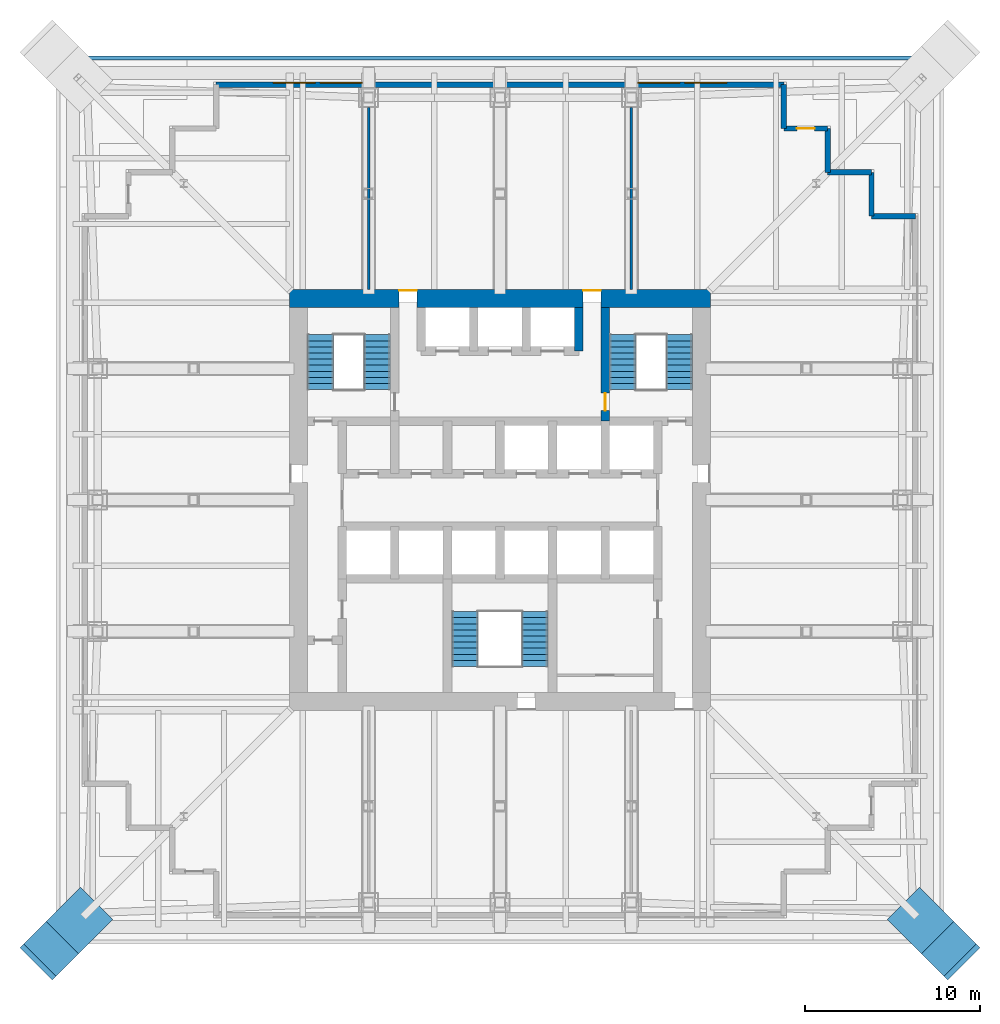
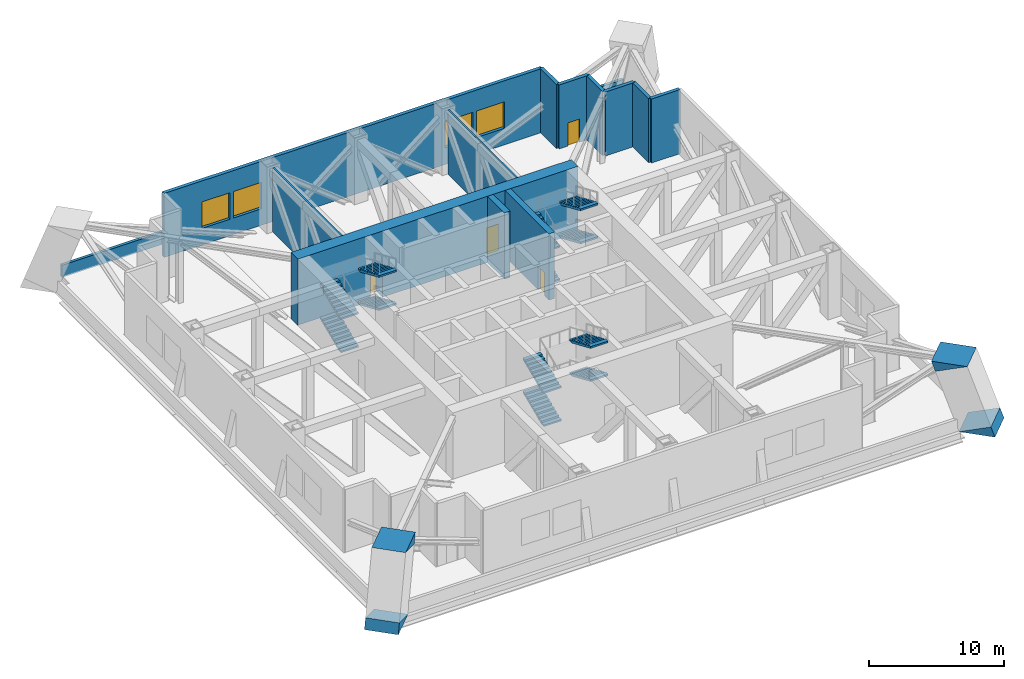
# One storey, part 7 of 10: 13 walls, 12 stair flights, 4 discrete accessories, 4 doors, 4 windows, 8 openings, 3 elements without a shape of their own.
"""IFC4 building model written with IfcOpenShell, lengths in metres."""

from ifc_helpers import new_model, si_unit, direction, frame, frame_2d, origin, place, context, subcontext, project, spatial, polyline, rectangle, outline, extrude, material, layer, layer_set, type_object, element, fill, aggregate, save


model = new_model("IFC4")

# Units and contexts
model_context = context("Model", 3, precision=1e-05, world=origin(), true_north=direction((0.0, 1.0)))
body_context = subcontext(model_context, "Body", "Model", "MODEL_VIEW")
ifc_project = project(units=[si_unit("LENGTHUNIT", "METRE"), si_unit("AREAUNIT", "SQUARE_METRE"), si_unit("VOLUMEUNIT", "CUBIC_METRE"), si_unit("PLANEANGLEUNIT", "RADIAN"), si_unit("MASSUNIT", "GRAM", prefix="KILO")], contexts=[model_context])

# Site, building, storey
site_placement = place(None, origin())
site = spatial("IfcSite", under=ifc_project, at=site_placement, CompositionType="ELEMENT")
building_placement = place(site_placement, origin())
building = spatial("IfcBuilding", under=site, at=building_placement, Name="Tarangal Relay Tower", CompositionType="ELEMENT")
storey_placement = place(building_placement, frame((0.0, 0.0, 98.39990234375)))
storey = spatial("IfcBuildingStorey", under=building, at=storey_placement, Name="L19", CompositionType="ELEMENT", Elevation=98.39990234375)

# Wall, opening, door
ifc_material_1 = material(Name="Concrete fc' 60 MPa", Category="concrete")
ifc_layer_1 = layer(ifc_material_1, 0.5)
ifc_layer_set_1 = layer_set([ifc_layer_1], Name="Core inner wall 500")
wall_type_1 = type_object("IfcWallType", Name="Core inner wall 500", PredefinedType="SHEAR", material=ifc_layer_set_1)
wall_1_placement = place(storey_placement, frame((6.0, 4.5, 0.0), z_axis=(0.0, 0.0, 1.0), x_axis=(0.0, 1.0, 0.0)))
wall_1 = element("IfcWall", 1, at=wall_1_placement, inside=storey, type_object=wall_type_1, Name="Core wall X6 L19", PredefinedType="SHEAR", context=body_context, shape_type="SweptSolid", body=[
    extrude(rectangle(XDim=6.5, YDim=0.5, at=frame_2d((3.25, 0.0))), origin(), (0.0, 0.0, 1.0), 6.0),
])
opening_1_placement = place(wall_1_placement, frame((0.60009765625, 0.0, 0.0)))
opening_1 = element("IfcOpeningElement", 2, at=opening_1_placement, cuts=wall_1, Name="Opening FD1", PredefinedType="OPENING", context=body_context, shape_type="SweptSolid", body=[
    extrude(rectangle(XDim=1.0, YDim=2.10009765625, at=frame_2d((0.5, 1.050048828125))), frame((0.0, 0.260009765625, 0.0), z_axis=(0.0, -1.0, 0.0), x_axis=(1.0, 0.0, 0.0)), (0.0, 0.0, 1.0), 0.52001953125),
])
ifc_material_2 = material(Name="Steel door with hardwood frame", Category="steel")
door_type_1 = type_object("IfcDoorType", Name="Fire door 1000 x 2100", OperationType="SINGLE_SWING_LEFT", PredefinedType="DOOR", material=ifc_material_2)
door_1_placement = place(opening_1_placement, origin())
door_1 = element("IfcDoor", 3, at=door_1_placement, inside=storey, type_object=door_type_1, Name="Stair ST-B door from fire-fighting lobby L19", OperationType="SINGLE_SWING_LEFT", OverallHeight=2.10009765625, OverallWidth=1.0, PredefinedType="DOOR", context=body_context, shape_type="SweptSolid", body=[
    extrude(rectangle(XDim=1.0, YDim=2.10009765625, at=frame_2d((0.5, 1.050048828125))), frame((0.0, 0.02490234375, 0.0), z_axis=(0.0, -1.0, 0.0), x_axis=(1.0, 0.0, 0.0)), (0.0, 0.0, 1.0), 0.050048828125),
])
fill(opening_1, door_1)

# Wall
wall_2_placement = place(storey_placement, frame((4.5, 8.5, 0.0), z_axis=(0.0, 0.0, 1.0), x_axis=(0.0, 1.0, 0.0)))
element("IfcWall", 4, at=wall_2_placement, inside=storey, type_object=wall_type_1, Name="Core wall X45 L19", PredefinedType="SHEAR", context=body_context, shape_type="SweptSolid", body=[
    extrude(rectangle(XDim=2.5, YDim=0.5, at=frame_2d((1.25, 0.0))), origin(), (0.0, 0.0, 1.0), 6.0),
])

# Wall, openings, doors
ifc_layer_2 = layer(ifc_material_1, 1.0)
ifc_layer_set_2 = layer_set([ifc_layer_2], Name="Core wall 1000")
wall_type_2 = type_object("IfcWallType", Name="Core wall 1000", PredefinedType="SHEAR", material=ifc_layer_set_2)
wall_3_placement = place(storey_placement, frame((-12.0, 11.5, 0.0), z_axis=(0.0, 0.0, 1.0), x_axis=(1.0, 0.0, 0.0)))
wall_3 = element("IfcWall", 5, at=wall_3_placement, inside=storey, type_object=wall_type_2, Name="Core wall N L19", PredefinedType="SHEAR", context=body_context, shape_type="SweptSolid", body=[
    extrude(rectangle(XDim=24.0, YDim=1.0, at=frame_2d((12.0, 0.0))), origin(), (0.0, 0.0, 1.0), 6.0),
])
opening_2_placement = place(wall_3_placement, frame((6.25, 0.0, 0.0)))
opening_2 = element("IfcOpeningElement", 6, at=opening_2_placement, cuts=wall_3, Name="Opening FD3", PredefinedType="OPENING", context=body_context, shape_type="SweptSolid", body=[
    extrude(rectangle(XDim=1.0, YDim=2.39990234375, at=frame_2d((0.5, 1.199951171875))), frame((0.0, 0.510009765625, 0.0), z_axis=(0.0, -1.0, 0.0), x_axis=(1.0, 0.0, 0.0)), (0.0, 0.0, 1.0), 1.02001953125),
])
opening_3_placement = place(wall_3_placement, frame((16.75, 0.0, 0.0)))
opening_3 = element("IfcOpeningElement", 7, at=opening_3_placement, cuts=wall_3, Name="Opening FD3", PredefinedType="OPENING", context=body_context, shape_type="SweptSolid", body=[
    extrude(rectangle(XDim=1.0, YDim=2.39990234375, at=frame_2d((0.5, 1.199951171875))), frame((0.0, 0.510009765625, 0.0), z_axis=(0.0, -1.0, 0.0), x_axis=(1.0, 0.0, 0.0)), (0.0, 0.0, 1.0), 1.02001953125),
])
door_type_2 = type_object("IfcDoorType", Name="Fire door 1000 x 2400 core entry", OperationType="SINGLE_SWING_RIGHT", PredefinedType="DOOR", material=ifc_material_2)
door_2_placement = place(opening_2_placement, origin())
door_2 = element("IfcDoor", 8, at=door_2_placement, inside=storey, type_object=door_type_2, Name="Core entry door north west L19", OperationType="SINGLE_SWING_RIGHT", OverallHeight=2.39990234375, OverallWidth=1.0, PredefinedType="DOOR", context=body_context, shape_type="SweptSolid", body=[
    extrude(rectangle(XDim=1.0, YDim=2.39990234375, at=frame_2d((0.5, 1.199951171875))), frame((0.0, 0.48486328125, 0.0), z_axis=(0.0, -1.0, 0.0), x_axis=(1.0, 0.0, 0.0)), (0.0, 0.0, 1.0), 0.050048828125),
])
fill(opening_2, door_2)
door_3_placement = place(opening_3_placement, origin())
door_3 = element("IfcDoor", 9, at=door_3_placement, inside=storey, type_object=door_type_2, Name="Core entry door north east L19", OperationType="SINGLE_SWING_RIGHT", OverallHeight=2.39990234375, OverallWidth=1.0, PredefinedType="DOOR", context=body_context, shape_type="SweptSolid", body=[
    extrude(rectangle(XDim=1.0, YDim=2.39990234375, at=frame_2d((0.5, 1.199951171875))), frame((0.0, 0.48486328125, 0.0), z_axis=(0.0, -1.0, 0.0), x_axis=(1.0, 0.0, 0.0)), (0.0, 0.0, 1.0), 0.050048828125),
])
fill(opening_3, door_3)

# Wall, openings, windows
ifc_material_3 = material(Name="Insulated precast concrete fc' 40 MPa", Category="concrete")
ifc_layer_3 = layer(ifc_material_3, 0.300048828125)
ifc_layer_set_3 = layer_set([ifc_layer_3], Name="Insulated precast concrete fc' 40 MPa")
wall_type_3 = type_object("IfcWallType", Name="Facade wall precast 300", PredefinedType="SOLIDWALL", material=ifc_layer_set_3)
wall_4_placement = place(storey_placement, frame((-16.199951171875, 23.699951171875, 0.0), z_axis=(0.0, 0.0, 1.0), x_axis=(1.0, 0.0, 0.0)))
wall_4 = element("IfcWall", 10, at=wall_4_placement, inside=storey, type_object=wall_type_3, Name="Facade wall N facade L19", PredefinedType="SOLIDWALL", context=body_context, shape_type="SweptSolid", body=[
    extrude(rectangle(XDim=32.39990234375, YDim=0.300048828125, at=frame_2d((16.199951171875, 0.0))), origin(), (0.0, 0.0, 1.0), 5.800048828125),
])
opening_4_placement = place(wall_4_placement, frame((3.25, 0.0, 1.5)))
opening_4 = element("IfcOpeningElement", 11, at=opening_4_placement, cuts=wall_4, Name="Opening LV1", PredefinedType="OPENING", context=body_context, shape_type="SweptSolid", body=[
    extrude(rectangle(XDim=2.39990234375, YDim=2.39990234375, at=frame_2d((1.199951171875, 1.199951171875))), frame((0.0, 0.159912109375, 0.0), z_axis=(0.0, -1.0, 0.0), x_axis=(1.0, 0.0, 0.0)), (0.0, 0.0, 1.0), 0.320068359375),
])
opening_5_placement = place(wall_4_placement, frame((5.949951171875, 0.0, 1.5)))
opening_5 = element("IfcOpeningElement", 12, at=opening_5_placement, cuts=wall_4, Name="Opening LV1", PredefinedType="OPENING", context=body_context, shape_type="SweptSolid", body=[
    extrude(rectangle(XDim=2.39990234375, YDim=2.39990234375, at=frame_2d((1.199951171875, 1.199951171875))), frame((0.0, 0.159912109375, 0.0), z_axis=(0.0, -1.0, 0.0), x_axis=(1.0, 0.0, 0.0)), (0.0, 0.0, 1.0), 0.320068359375),
])
opening_6_placement = place(wall_4_placement, frame((24.050048828125, 0.0, 1.5)))
opening_6 = element("IfcOpeningElement", 13, at=opening_6_placement, cuts=wall_4, Name="Opening LV1", PredefinedType="OPENING", context=body_context, shape_type="SweptSolid", body=[
    extrude(rectangle(XDim=2.39990234375, YDim=2.39990234375, at=frame_2d((1.199951171875, 1.199951171875))), frame((0.0, 0.159912109375, 0.0), z_axis=(0.0, -1.0, 0.0), x_axis=(1.0, 0.0, 0.0)), (0.0, 0.0, 1.0), 0.320068359375),
])
opening_7_placement = place(wall_4_placement, frame((26.75, 0.0, 1.5)))
opening_7 = element("IfcOpeningElement", 14, at=opening_7_placement, cuts=wall_4, Name="Opening LV1", PredefinedType="OPENING", context=body_context, shape_type="SweptSolid", body=[
    extrude(rectangle(XDim=2.39990234375, YDim=2.39990234375, at=frame_2d((1.199951171875, 1.199951171875))), frame((0.0, 0.159912109375, 0.0), z_axis=(0.0, -1.0, 0.0), x_axis=(1.0, 0.0, 0.0)), (0.0, 0.0, 1.0), 0.320068359375),
])
ifc_material_4 = material(Name="Black aluminium weather louvre", Category="aluminium")
window_type = type_object("IfcWindowType", Name="Louvre 2400 x 2400", PartitioningType="SINGLE_PANEL", PredefinedType="WINDOW", material=ifc_material_4)
window_1_placement = place(opening_4_placement, origin())
window_1 = element("IfcWindow", 15, at=window_1_placement, inside=storey, type_object=window_type, Name="Louvre LV1 N facade L19", OverallHeight=2.39990234375, OverallWidth=2.39990234375, PartitioningType="SINGLE_PANEL", PredefinedType="WINDOW", context=body_context, shape_type="SweptSolid", body=[
    extrude(rectangle(XDim=2.39990234375, YDim=2.39990234375, at=frame_2d((1.199951171875, 1.199951171875))), frame((0.0, 0.150146484375, 0.0), z_axis=(0.0, -1.0, 0.0), x_axis=(1.0, 0.0, 0.0)), (0.0, 0.0, 1.0), 0.06005859375),
])
fill(opening_4, window_1)
window_2_placement = place(opening_5_placement, origin())
window_2 = element("IfcWindow", 16, at=window_2_placement, inside=storey, type_object=window_type, Name="Louvre LV1 N facade L19", OverallHeight=2.39990234375, OverallWidth=2.39990234375, PartitioningType="SINGLE_PANEL", PredefinedType="WINDOW", context=body_context, shape_type="SweptSolid", body=[
    extrude(rectangle(XDim=2.39990234375, YDim=2.39990234375, at=frame_2d((1.199951171875, 1.199951171875))), frame((0.0, 0.150146484375, 0.0), z_axis=(0.0, -1.0, 0.0), x_axis=(1.0, 0.0, 0.0)), (0.0, 0.0, 1.0), 0.06005859375),
])
fill(opening_5, window_2)
window_3_placement = place(opening_6_placement, origin())
window_3 = element("IfcWindow", 17, at=window_3_placement, inside=storey, type_object=window_type, Name="Louvre LV1 N facade L19", OverallHeight=2.39990234375, OverallWidth=2.39990234375, PartitioningType="SINGLE_PANEL", PredefinedType="WINDOW", context=body_context, shape_type="SweptSolid", body=[
    extrude(rectangle(XDim=2.39990234375, YDim=2.39990234375, at=frame_2d((1.199951171875, 1.199951171875))), frame((0.0, 0.150146484375, 0.0), z_axis=(0.0, -1.0, 0.0), x_axis=(1.0, 0.0, 0.0)), (0.0, 0.0, 1.0), 0.06005859375),
])
fill(opening_6, window_3)
window_4_placement = place(opening_7_placement, origin())
window_4 = element("IfcWindow", 18, at=window_4_placement, inside=storey, type_object=window_type, Name="Louvre LV1 N facade L19", OverallHeight=2.39990234375, OverallWidth=2.39990234375, PartitioningType="SINGLE_PANEL", PredefinedType="WINDOW", context=body_context, shape_type="SweptSolid", body=[
    extrude(rectangle(XDim=2.39990234375, YDim=2.39990234375, at=frame_2d((1.199951171875, 1.199951171875))), frame((0.0, 0.150146484375, 0.0), z_axis=(0.0, -1.0, 0.0), x_axis=(1.0, 0.0, 0.0)), (0.0, 0.0, 1.0), 0.06005859375),
])
fill(opening_7, window_4)

# Wall
wall_5_placement = place(storey_placement, frame((16.199951171875, 23.699951171875, 0.0), z_axis=(0.0, 0.0, 1.0), x_axis=(0.0, -1.0, 0.0)))
element("IfcWall", 19, at=wall_5_placement, inside=storey, type_object=wall_type_3, Name="Facade wall N facade L19", PredefinedType="SOLIDWALL", context=body_context, shape_type="SweptSolid", body=[
    extrude(rectangle(XDim=2.5, YDim=0.300048828125, at=frame_2d((1.25, 0.0))), origin(), (0.0, 0.0, 1.0), 5.800048828125),
])

# Wall, opening, door
wall_6_placement = place(storey_placement, frame((16.199951171875, 21.199951171875, 0.0), z_axis=(0.0, 0.0, 1.0), x_axis=(1.0, 0.0, 0.0)))
wall_6 = element("IfcWall", 20, at=wall_6_placement, inside=storey, type_object=wall_type_3, Name="Facade wall N facade L19", PredefinedType="SOLIDWALL", context=body_context, shape_type="SweptSolid", body=[
    extrude(rectangle(XDim=2.5, YDim=0.300048828125, at=frame_2d((1.25, 0.0))), origin(), (0.0, 0.0, 1.0), 5.800048828125),
])
opening_8_placement = place(wall_6_placement, frame((0.75, 0.0, 0.0)))
opening_8 = element("IfcOpeningElement", 21, at=opening_8_placement, cuts=wall_6, Name="Opening MD1", PredefinedType="OPENING", context=body_context, shape_type="SweptSolid", body=[
    extrude(rectangle(XDim=1.0, YDim=2.10009765625, at=frame_2d((0.5, 1.050048828125))), frame((0.0, 0.159912109375, 0.0), z_axis=(0.0, -1.0, 0.0), x_axis=(1.0, 0.0, 0.0)), (0.0, 0.0, 1.0), 0.320068359375),
])
door_type_3 = type_object("IfcDoorType", Name="Maintenance access door 1000 x 2100", OperationType="SINGLE_SWING_RIGHT", PredefinedType="DOOR", material=ifc_material_2)
door_4_placement = place(opening_8_placement, origin())
door_4 = element("IfcDoor", 22, at=door_4_placement, inside=storey, type_object=door_type_3, Name="Maintenance access door MD1 NE L19", OperationType="SINGLE_SWING_RIGHT", OverallHeight=2.10009765625, OverallWidth=1.0, PredefinedType="DOOR", context=body_context, shape_type="SweptSolid", body=[
    extrude(rectangle(XDim=1.0, YDim=2.10009765625, at=frame_2d((0.5, 1.050048828125))), frame((0.0, 0.02490234375, 0.0), z_axis=(0.0, -1.0, 0.0), x_axis=(1.0, 0.0, 0.0)), (0.0, 0.0, 1.0), 0.050048828125),
])
fill(opening_8, door_4)

# Walls
for number, where, z_axis, x_axis, name in (
    (23, (18.699951171875, 21.199951171875, 0.0), (0.0, 0.0, 1.0), (0.0, -1.0, 0.0), "Facade wall N facade L19"),
    (24, (18.699951171875, 18.699951171875, 0.0), (0.0, 0.0, 1.0), (1.0, 0.0, 0.0), "Facade wall N facade L19"),
    (25, (21.199951171875, 18.699951171875, 0.0), (0.0, 0.0, 1.0), (0.0, -1.0, 0.0), "Facade wall N facade L19"),
    (26, (21.199951171875, 16.199951171875, 0.0), (0.0, 0.0, 1.0), (1.0, 0.0, 0.0), "Facade wall N facade L19"),
):
    element("IfcWall", number, at=place(storey_placement, frame(where, z_axis=z_axis, x_axis=x_axis)), inside=storey, type_object=wall_type_3, Name=name, PredefinedType="SOLIDWALL", context=body_context, shape_type="SweptSolid", body=[
        extrude(rectangle(XDim=2.5, YDim=0.300048828125, at=frame_2d((1.25, 0.0))), origin(), (0.0, 0.0, 1.0), 5.800048828125),
    ])
ifc_material_5 = material(Name="Concrete parapet with metal coping", Category="concrete")
ifc_layer_4 = layer(ifc_material_5, 0.25)
ifc_layer_set_4 = layer_set([ifc_layer_4], Name="Parapet 250")
wall_type_4 = type_object("IfcWallType", Name="Parapet 250", PredefinedType="PARAPET", material=ifc_layer_set_4)
wall_7_placement = place(storey_placement, frame((-24.050048828125, 25.22509765625, 0.0), z_axis=(0.0, 0.0, 1.0), x_axis=(1.0, 0.0, 0.0)))
element("IfcWall", 27, at=wall_7_placement, inside=storey, type_object=wall_type_4, Name="Ledge parapet PP1 L19", PredefinedType="PARAPET", context=body_context, shape_type="SweptSolid", body=[
    extrude(rectangle(XDim=48.10009765625, YDim=0.25, at=frame_2d((24.050048828125, 0.0))), origin(), (0.0, 0.0, 1.0), 1.10009765625),
])
ifc_material_6 = material(Name="Gypsum board on steel studs", Category="steel")
ifc_layer_5 = layer(ifc_material_6, 0.14990234375)
ifc_layer_set_5 = layer_set([ifc_layer_5], Name="Partition 150")
wall_type_5 = type_object("IfcWallType", Name="Partition 150", PredefinedType="PARTITIONING", material=ifc_layer_set_5)
for number, where, z_axis, x_axis, name in (
    (28, (-7.5, 12.0, 0.0), (0.0, 0.0, 1.0), (0.0, 1.0, 0.0), "Partition PT1 L19"),
    (29, (7.5, 12.0, 0.0), (0.0, 0.0, 1.0), (0.0, 1.0, 0.0), "Partition PT1 L19"),
):
    element("IfcWall", number, at=place(storey_placement, frame(where, z_axis=z_axis, x_axis=x_axis)), inside=storey, type_object=wall_type_5, Name=name, PredefinedType="PARTITIONING", context=body_context, shape_type="SweptSolid", body=[
        extrude(rectangle(XDim=10.389892578125, YDim=0.14990234375, at=frame_2d((5.19482421875, 0.0))), origin(), (0.0, 0.0, 1.0), 5.800048828125),
    ])

# Stair, stair flights
ifc_material_7 = material(Name="Steel ASTM A992 stair flight", Category="steel")
stair_type = type_object("IfcStairType", Name="Core stair 1500", PredefinedType="HALF_TURN_STAIR", material=ifc_material_7)
stair_1_placement = place(storey_placement, origin())
stair_1 = element("IfcStair", 30, at=stair_1_placement, inside=storey, type_object=stair_type, Name="Stair ST-A L19", PredefinedType="HALF_TURN_STAIR")
stair_flight_type = type_object("IfcStairFlightType", Name="Steel stair flight 1500, 10 risers 150 x 348", PredefinedType="STRAIGHT", material=ifc_material_7)
stair_flight_1_placement = place(storey_placement, frame((-10.25, 6.300048828125, 0.0), z_axis=(0.0, 0.0, 1.0), x_axis=(0.0, 1.0, 0.0)))
stair_flight_1 = element("IfcStairFlight", 31, at=stair_flight_1_placement, type_object=stair_flight_type, Name="ST-A flight 1", NumberOfRisers=10, NumberOfTreads=9, PredefinedType="STRAIGHT", RiserHeight=0.15, TreadLength=0.348, context=body_context, shape_type="SweptSolid", body=[
    extrude(outline(polyline([(0.0, 0.0), (0.0, 0.14990234375), (0.347900390625, 0.14990234375), (0.347900390625, 0.300048828125), (0.696044921875, 0.300048828125), (0.696044921875, 0.449951171875), (1.0439453125, 0.449951171875), (1.0439453125, 0.60009765625), (1.39208984375, 0.60009765625), (1.39208984375, 0.75), (1.739990234375, 0.75), (1.739990234375, 0.89990234375), (2.087890625, 0.89990234375), (2.087890625, 1.050048828125), (2.43603515625, 1.050048828125), (2.43603515625, 1.199951171875), (2.783935546875, 1.199951171875), (2.783935546875, 1.35009765625), (3.132080078125, 1.35009765625), (3.132080078125, 1.5), (3.132080078125, 1.186767578125), (0.378662109375, 0.0), (0.0, 0.0)])), frame((0.0, 0.75, 0.0), z_axis=(0.0, -1.0, 0.0), x_axis=(1.0, 0.0, 0.0)), (0.0, 0.0, 1.0), 1.5),
])
stair_flight_2_placement = place(storey_placement, frame((-7.0, 9.431884765625, 1.5), z_axis=(0.0, 0.0, 1.0), x_axis=(0.0, -1.0, 0.0)))
stair_flight_2 = element("IfcStairFlight", 32, at=stair_flight_2_placement, type_object=stair_flight_type, Name="ST-A flight 2", NumberOfRisers=10, NumberOfTreads=9, PredefinedType="STRAIGHT", RiserHeight=0.15, TreadLength=0.348, context=body_context, shape_type="SweptSolid", body=[
    extrude(outline(polyline([(0.0, 0.0), (0.0, 0.14990234375), (0.347900390625, 0.14990234375), (0.347900390625, 0.300048828125), (0.696044921875, 0.300048828125), (0.696044921875, 0.449951171875), (1.0439453125, 0.449951171875), (1.0439453125, 0.60009765625), (1.39208984375, 0.60009765625), (1.39208984375, 0.75), (1.739990234375, 0.75), (1.739990234375, 0.89990234375), (2.087890625, 0.89990234375), (2.087890625, 1.050048828125), (2.43603515625, 1.050048828125), (2.43603515625, 1.199951171875), (2.783935546875, 1.199951171875), (2.783935546875, 1.35009765625), (3.132080078125, 1.35009765625), (3.132080078125, 1.5), (3.132080078125, 1.186767578125), (0.378662109375, 0.0), (0.0, 0.0)])), frame((0.0, 0.75, 0.0), z_axis=(0.0, -1.0, 0.0), x_axis=(1.0, 0.0, 0.0)), (0.0, 0.0, 1.0), 1.5),
])
stair_flight_3_placement = place(storey_placement, frame((-10.25, 6.300048828125, 3.0), z_axis=(0.0, 0.0, 1.0), x_axis=(0.0, 1.0, 0.0)))
stair_flight_3 = element("IfcStairFlight", 33, at=stair_flight_3_placement, type_object=stair_flight_type, Name="ST-A flight 3", NumberOfRisers=10, NumberOfTreads=9, PredefinedType="STRAIGHT", RiserHeight=0.15, TreadLength=0.348, context=body_context, shape_type="SweptSolid", body=[
    extrude(outline(polyline([(0.0, 0.0), (0.0, 0.14990234375), (0.347900390625, 0.14990234375), (0.347900390625, 0.300048828125), (0.696044921875, 0.300048828125), (0.696044921875, 0.449951171875), (1.0439453125, 0.449951171875), (1.0439453125, 0.60009765625), (1.39208984375, 0.60009765625), (1.39208984375, 0.75), (1.739990234375, 0.75), (1.739990234375, 0.89990234375), (2.087890625, 0.89990234375), (2.087890625, 1.050048828125), (2.43603515625, 1.050048828125), (2.43603515625, 1.199951171875), (2.783935546875, 1.199951171875), (2.783935546875, 1.35009765625), (3.132080078125, 1.35009765625), (3.132080078125, 1.5), (3.132080078125, 1.186767578125), (0.378662109375, 0.0), (0.0, 0.0)])), frame((0.0, 0.75, 0.0), z_axis=(0.0, -1.0, 0.0), x_axis=(1.0, 0.0, 0.0)), (0.0, 0.0, 1.0), 1.5),
])
stair_flight_4_placement = place(storey_placement, frame((-7.0, 9.431884765625, 4.5), z_axis=(0.0, 0.0, 1.0), x_axis=(0.0, -1.0, 0.0)))
stair_flight_4 = element("IfcStairFlight", 34, at=stair_flight_4_placement, type_object=stair_flight_type, Name="ST-A flight 4", NumberOfRisers=10, NumberOfTreads=9, PredefinedType="STRAIGHT", RiserHeight=0.15, TreadLength=0.348, context=body_context, shape_type="SweptSolid", body=[
    extrude(outline(polyline([(0.0, 0.0), (0.0, 0.14990234375), (0.347900390625, 0.14990234375), (0.347900390625, 0.300048828125), (0.696044921875, 0.300048828125), (0.696044921875, 0.449951171875), (1.0439453125, 0.449951171875), (1.0439453125, 0.60009765625), (1.39208984375, 0.60009765625), (1.39208984375, 0.75), (1.739990234375, 0.75), (1.739990234375, 0.89990234375), (2.087890625, 0.89990234375), (2.087890625, 1.050048828125), (2.43603515625, 1.050048828125), (2.43603515625, 1.199951171875), (2.783935546875, 1.199951171875), (2.783935546875, 1.35009765625), (3.132080078125, 1.35009765625), (3.132080078125, 1.5), (3.132080078125, 1.186767578125), (0.378662109375, 0.0), (0.0, 0.0)])), frame((0.0, 0.75, 0.0), z_axis=(0.0, -1.0, 0.0), x_axis=(1.0, 0.0, 0.0)), (0.0, 0.0, 1.0), 1.5),
])
aggregate(stair_1, [stair_flight_1, stair_flight_2, stair_flight_3, stair_flight_4])

stair_2_placement = place(storey_placement, origin())
stair_2 = element("IfcStair", 35, at=stair_2_placement, inside=storey, type_object=stair_type, Name="Stair ST-B L19", PredefinedType="HALF_TURN_STAIR")
stair_flight_5_placement = place(storey_placement, frame((7.0, 6.300048828125, 0.0), z_axis=(0.0, 0.0, 1.0), x_axis=(0.0, 1.0, 0.0)))
stair_flight_5 = element("IfcStairFlight", 36, at=stair_flight_5_placement, type_object=stair_flight_type, Name="ST-B flight 1", NumberOfRisers=10, NumberOfTreads=9, PredefinedType="STRAIGHT", RiserHeight=0.15, TreadLength=0.348, context=body_context, shape_type="SweptSolid", body=[
    extrude(outline(polyline([(0.0, 0.0), (0.0, 0.14990234375), (0.347900390625, 0.14990234375), (0.347900390625, 0.300048828125), (0.696044921875, 0.300048828125), (0.696044921875, 0.449951171875), (1.0439453125, 0.449951171875), (1.0439453125, 0.60009765625), (1.39208984375, 0.60009765625), (1.39208984375, 0.75), (1.739990234375, 0.75), (1.739990234375, 0.89990234375), (2.087890625, 0.89990234375), (2.087890625, 1.050048828125), (2.43603515625, 1.050048828125), (2.43603515625, 1.199951171875), (2.783935546875, 1.199951171875), (2.783935546875, 1.35009765625), (3.132080078125, 1.35009765625), (3.132080078125, 1.5), (3.132080078125, 1.186767578125), (0.378662109375, 0.0), (0.0, 0.0)])), frame((0.0, 0.75, 0.0), z_axis=(0.0, -1.0, 0.0), x_axis=(1.0, 0.0, 0.0)), (0.0, 0.0, 1.0), 1.5),
])
stair_flight_6_placement = place(storey_placement, frame((10.25, 9.431884765625, 1.5), z_axis=(0.0, 0.0, 1.0), x_axis=(0.0, -1.0, 0.0)))
stair_flight_6 = element("IfcStairFlight", 37, at=stair_flight_6_placement, type_object=stair_flight_type, Name="ST-B flight 2", NumberOfRisers=10, NumberOfTreads=9, PredefinedType="STRAIGHT", RiserHeight=0.15, TreadLength=0.348, context=body_context, shape_type="SweptSolid", body=[
    extrude(outline(polyline([(0.0, 0.0), (0.0, 0.14990234375), (0.347900390625, 0.14990234375), (0.347900390625, 0.300048828125), (0.696044921875, 0.300048828125), (0.696044921875, 0.449951171875), (1.0439453125, 0.449951171875), (1.0439453125, 0.60009765625), (1.39208984375, 0.60009765625), (1.39208984375, 0.75), (1.739990234375, 0.75), (1.739990234375, 0.89990234375), (2.087890625, 0.89990234375), (2.087890625, 1.050048828125), (2.43603515625, 1.050048828125), (2.43603515625, 1.199951171875), (2.783935546875, 1.199951171875), (2.783935546875, 1.35009765625), (3.132080078125, 1.35009765625), (3.132080078125, 1.5), (3.132080078125, 1.186767578125), (0.378662109375, 0.0), (0.0, 0.0)])), frame((0.0, 0.75, 0.0), z_axis=(0.0, -1.0, 0.0), x_axis=(1.0, 0.0, 0.0)), (0.0, 0.0, 1.0), 1.5),
])
stair_flight_7_placement = place(storey_placement, frame((7.0, 6.300048828125, 3.0), z_axis=(0.0, 0.0, 1.0), x_axis=(0.0, 1.0, 0.0)))
stair_flight_7 = element("IfcStairFlight", 38, at=stair_flight_7_placement, type_object=stair_flight_type, Name="ST-B flight 3", NumberOfRisers=10, NumberOfTreads=9, PredefinedType="STRAIGHT", RiserHeight=0.15, TreadLength=0.348, context=body_context, shape_type="SweptSolid", body=[
    extrude(outline(polyline([(0.0, 0.0), (0.0, 0.14990234375), (0.347900390625, 0.14990234375), (0.347900390625, 0.300048828125), (0.696044921875, 0.300048828125), (0.696044921875, 0.449951171875), (1.0439453125, 0.449951171875), (1.0439453125, 0.60009765625), (1.39208984375, 0.60009765625), (1.39208984375, 0.75), (1.739990234375, 0.75), (1.739990234375, 0.89990234375), (2.087890625, 0.89990234375), (2.087890625, 1.050048828125), (2.43603515625, 1.050048828125), (2.43603515625, 1.199951171875), (2.783935546875, 1.199951171875), (2.783935546875, 1.35009765625), (3.132080078125, 1.35009765625), (3.132080078125, 1.5), (3.132080078125, 1.186767578125), (0.378662109375, 0.0), (0.0, 0.0)])), frame((0.0, 0.75, 0.0), z_axis=(0.0, -1.0, 0.0), x_axis=(1.0, 0.0, 0.0)), (0.0, 0.0, 1.0), 1.5),
])
stair_flight_8_placement = place(storey_placement, frame((10.25, 9.431884765625, 4.5), z_axis=(0.0, 0.0, 1.0), x_axis=(0.0, -1.0, 0.0)))
stair_flight_8 = element("IfcStairFlight", 39, at=stair_flight_8_placement, type_object=stair_flight_type, Name="ST-B flight 4", NumberOfRisers=10, NumberOfTreads=9, PredefinedType="STRAIGHT", RiserHeight=0.15, TreadLength=0.348, context=body_context, shape_type="SweptSolid", body=[
    extrude(outline(polyline([(0.0, 0.0), (0.0, 0.14990234375), (0.347900390625, 0.14990234375), (0.347900390625, 0.300048828125), (0.696044921875, 0.300048828125), (0.696044921875, 0.449951171875), (1.0439453125, 0.449951171875), (1.0439453125, 0.60009765625), (1.39208984375, 0.60009765625), (1.39208984375, 0.75), (1.739990234375, 0.75), (1.739990234375, 0.89990234375), (2.087890625, 0.89990234375), (2.087890625, 1.050048828125), (2.43603515625, 1.050048828125), (2.43603515625, 1.199951171875), (2.783935546875, 1.199951171875), (2.783935546875, 1.35009765625), (3.132080078125, 1.35009765625), (3.132080078125, 1.5), (3.132080078125, 1.186767578125), (0.378662109375, 0.0), (0.0, 0.0)])), frame((0.0, 0.75, 0.0), z_axis=(0.0, -1.0, 0.0), x_axis=(1.0, 0.0, 0.0)), (0.0, 0.0, 1.0), 1.5),
])
aggregate(stair_2, [stair_flight_5, stair_flight_6, stair_flight_7, stair_flight_8])

stair_3_placement = place(storey_placement, origin())
stair_3 = element("IfcStair", 40, at=stair_3_placement, inside=storey, type_object=stair_type, Name="Stair ST-C L19", PredefinedType="HALF_TURN_STAIR")
stair_flight_9_placement = place(storey_placement, frame((-2.0, -9.5, 0.0), z_axis=(0.0, 0.0, 1.0), x_axis=(0.0, 1.0, 0.0)))
stair_flight_9 = element("IfcStairFlight", 41, at=stair_flight_9_placement, type_object=stair_flight_type, Name="ST-C flight 1", NumberOfRisers=10, NumberOfTreads=9, PredefinedType="STRAIGHT", RiserHeight=0.15, TreadLength=0.348, context=body_context, shape_type="SweptSolid", body=[
    extrude(outline(polyline([(0.0, 0.0), (0.0, 0.14990234375), (0.347900390625, 0.14990234375), (0.347900390625, 0.300048828125), (0.696044921875, 0.300048828125), (0.696044921875, 0.449951171875), (1.0439453125, 0.449951171875), (1.0439453125, 0.60009765625), (1.39208984375, 0.60009765625), (1.39208984375, 0.75), (1.739990234375, 0.75), (1.739990234375, 0.89990234375), (2.087890625, 0.89990234375), (2.087890625, 1.050048828125), (2.43603515625, 1.050048828125), (2.43603515625, 1.199951171875), (2.783935546875, 1.199951171875), (2.783935546875, 1.35009765625), (3.132080078125, 1.35009765625), (3.132080078125, 1.5), (3.132080078125, 1.186767578125), (0.378662109375, 0.0), (0.0, 0.0)])), frame((0.0, 0.75, 0.0), z_axis=(0.0, -1.0, 0.0), x_axis=(1.0, 0.0, 0.0)), (0.0, 0.0, 1.0), 1.5),
])
stair_flight_10_placement = place(storey_placement, frame((2.0, -6.367919921875, 1.5), z_axis=(0.0, 0.0, 1.0), x_axis=(0.0, -1.0, 0.0)))
stair_flight_10 = element("IfcStairFlight", 42, at=stair_flight_10_placement, type_object=stair_flight_type, Name="ST-C flight 2", NumberOfRisers=10, NumberOfTreads=9, PredefinedType="STRAIGHT", RiserHeight=0.15, TreadLength=0.348, context=body_context, shape_type="SweptSolid", body=[
    extrude(outline(polyline([(0.0, 0.0), (0.0, 0.14990234375), (0.347900390625, 0.14990234375), (0.347900390625, 0.300048828125), (0.696044921875, 0.300048828125), (0.696044921875, 0.449951171875), (1.0439453125, 0.449951171875), (1.0439453125, 0.60009765625), (1.39208984375, 0.60009765625), (1.39208984375, 0.75), (1.739990234375, 0.75), (1.739990234375, 0.89990234375), (2.087890625, 0.89990234375), (2.087890625, 1.050048828125), (2.43603515625, 1.050048828125), (2.43603515625, 1.199951171875), (2.783935546875, 1.199951171875), (2.783935546875, 1.35009765625), (3.132080078125, 1.35009765625), (3.132080078125, 1.5), (3.132080078125, 1.186767578125), (0.378662109375, 0.0), (0.0, 0.0)])), frame((0.0, 0.75, 0.0), z_axis=(0.0, -1.0, 0.0), x_axis=(1.0, 0.0, 0.0)), (0.0, 0.0, 1.0), 1.5),
])
stair_flight_11_placement = place(storey_placement, frame((-2.0, -9.5, 3.0), z_axis=(0.0, 0.0, 1.0), x_axis=(0.0, 1.0, 0.0)))
stair_flight_11 = element("IfcStairFlight", 43, at=stair_flight_11_placement, type_object=stair_flight_type, Name="ST-C flight 3", NumberOfRisers=10, NumberOfTreads=9, PredefinedType="STRAIGHT", RiserHeight=0.15, TreadLength=0.348, context=body_context, shape_type="SweptSolid", body=[
    extrude(outline(polyline([(0.0, 0.0), (0.0, 0.14990234375), (0.347900390625, 0.14990234375), (0.347900390625, 0.300048828125), (0.696044921875, 0.300048828125), (0.696044921875, 0.449951171875), (1.0439453125, 0.449951171875), (1.0439453125, 0.60009765625), (1.39208984375, 0.60009765625), (1.39208984375, 0.75), (1.739990234375, 0.75), (1.739990234375, 0.89990234375), (2.087890625, 0.89990234375), (2.087890625, 1.050048828125), (2.43603515625, 1.050048828125), (2.43603515625, 1.199951171875), (2.783935546875, 1.199951171875), (2.783935546875, 1.35009765625), (3.132080078125, 1.35009765625), (3.132080078125, 1.5), (3.132080078125, 1.186767578125), (0.378662109375, 0.0), (0.0, 0.0)])), frame((0.0, 0.75, 0.0), z_axis=(0.0, -1.0, 0.0), x_axis=(1.0, 0.0, 0.0)), (0.0, 0.0, 1.0), 1.5),
])
stair_flight_12_placement = place(storey_placement, frame((2.0, -6.367919921875, 4.5), z_axis=(0.0, 0.0, 1.0), x_axis=(0.0, -1.0, 0.0)))
stair_flight_12 = element("IfcStairFlight", 44, at=stair_flight_12_placement, type_object=stair_flight_type, Name="ST-C flight 4", NumberOfRisers=10, NumberOfTreads=9, PredefinedType="STRAIGHT", RiserHeight=0.15, TreadLength=0.348, context=body_context, shape_type="SweptSolid", body=[
    extrude(outline(polyline([(0.0, 0.0), (0.0, 0.14990234375), (0.347900390625, 0.14990234375), (0.347900390625, 0.300048828125), (0.696044921875, 0.300048828125), (0.696044921875, 0.449951171875), (1.0439453125, 0.449951171875), (1.0439453125, 0.60009765625), (1.39208984375, 0.60009765625), (1.39208984375, 0.75), (1.739990234375, 0.75), (1.739990234375, 0.89990234375), (2.087890625, 0.89990234375), (2.087890625, 1.050048828125), (2.43603515625, 1.050048828125), (2.43603515625, 1.199951171875), (2.783935546875, 1.199951171875), (2.783935546875, 1.35009765625), (3.132080078125, 1.35009765625), (3.132080078125, 1.5), (3.132080078125, 1.186767578125), (0.378662109375, 0.0), (0.0, 0.0)])), frame((0.0, 0.75, 0.0), z_axis=(0.0, -1.0, 0.0), x_axis=(1.0, 0.0, 0.0)), (0.0, 0.0, 1.0), 1.5),
])
aggregate(stair_3, [stair_flight_9, stair_flight_10, stair_flight_11, stair_flight_12])

# Discrete accessories
ifc_material_8 = material(Name="Steel ASTM A572 Grade 50", Category="steel")
ifc_layer_6 = layer(ifc_material_8, 2.60009765625)
ifc_layer_set_6 = layer_set([ifc_layer_6], Name="Mega column node 2600")
discrete_accessory_type = type_object("IfcDiscreteAccessoryType", Name="Mega column node 2600", PredefinedType="USERDEFINED", material=ifc_layer_set_6)
discrete_accessory_1_placement = place(storey_placement, frame((23.605712890625, -25.444091796875, 0.00048828125), z_axis=(-0.707106306245, -0.707106555475, 0.000995426125), x_axis=(0.666896169419, -0.666426656486, 0.333354182123)))
element("IfcDiscreteAccessory", 45, at=discrete_accessory_1_placement, inside=storey, type_object=discrete_accessory_type, Name="Mega column node MN1 SE L19 foot", ObjectType="Mega column node", PredefinedType="USERDEFINED", context=body_context, shape_type="SweptSolid", body=[
    extrude(outline(polyline([(0.0, 0.0), (2.599935039754131, 1.1102230246251565e-16), (2.6000771545328902, -0.9198491956232142), (0.0, 0.0)])), origin(), (0.0, 0.0, -1.0), 2.60009765625),
])
discrete_accessory_2_placement = place(storey_placement, frame((24.056396484375, -25.893798828125, 5.99951171875), z_axis=(-0.70715058634, -0.707062303419, 0.000973305499), x_axis=(-0.666854436576, 0.666478849735, -0.333333321578)))
element("IfcDiscreteAccessory", 46, at=discrete_accessory_2_placement, inside=storey, type_object=discrete_accessory_type, Name="Mega column node MN1 SE L19 head", ObjectType="Mega column node", PredefinedType="USERDEFINED", context=body_context, shape_type="SweptSolid", body=[
    extrude(outline(polyline([(0.0, 0.0), (2.600097747946008, 0.0), (2.599934758295066, -0.9197341032175638), (0.0, 0.0)])), origin(), (0.0, 0.0, -1.0), 2.60009765625),
])
discrete_accessory_3_placement = place(storey_placement, frame((-25.444091796875, -23.605712890625, 0.00048828125), z_axis=(-0.707106555475, 0.707106306245, 0.000995426125), x_axis=(-0.666426656486, -0.666896169419, 0.333354182123)))
element("IfcDiscreteAccessory", 47, at=discrete_accessory_3_placement, inside=storey, type_object=discrete_accessory_type, Name="Mega column node MN1 SW L19 foot", ObjectType="Mega column node", PredefinedType="USERDEFINED", context=body_context, shape_type="SweptSolid", body=[
    extrude(outline(polyline([(0.0, 0.0), (2.599935039754131, 1.1102230246251565e-16), (2.6000771545328902, -0.9198491956232142), (0.0, 0.0)])), origin(), (0.0, 0.0, -1.0), 2.60009765625),
])
discrete_accessory_4_placement = place(storey_placement, frame((-25.893798828125, -24.056396484375, 5.99951171875), z_axis=(-0.707062303419, 0.70715058634, 0.000973305499), x_axis=(0.666478849735, 0.666854436576, -0.333333321578)))
element("IfcDiscreteAccessory", 48, at=discrete_accessory_4_placement, inside=storey, type_object=discrete_accessory_type, Name="Mega column node MN1 SW L19 head", ObjectType="Mega column node", PredefinedType="USERDEFINED", context=body_context, shape_type="SweptSolid", body=[
    extrude(outline(polyline([(0.0, 0.0), (2.600097747946008, 0.0), (2.599934758295066, -0.9197341032175638), (0.0, 0.0)])), origin(), (0.0, 0.0, -1.0), 2.60009765625),
])

save(model, "model.ifc")
